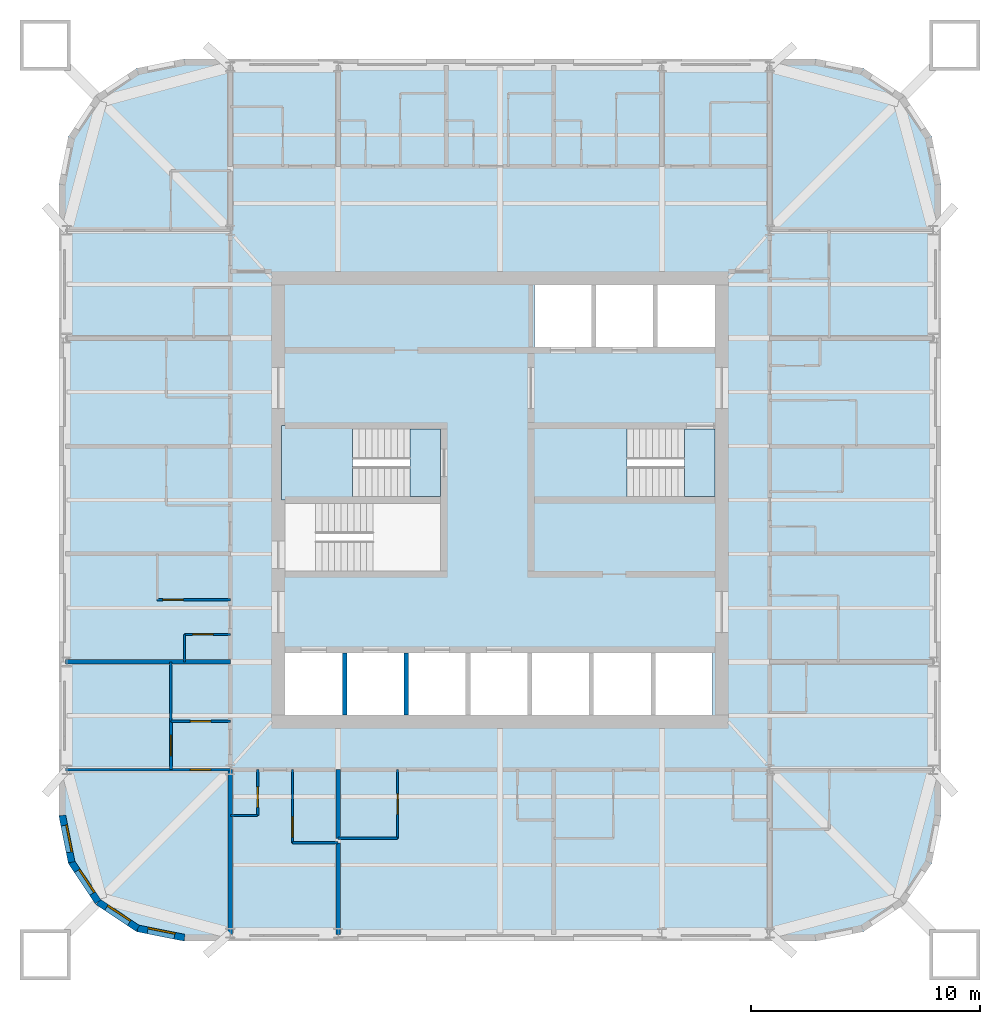
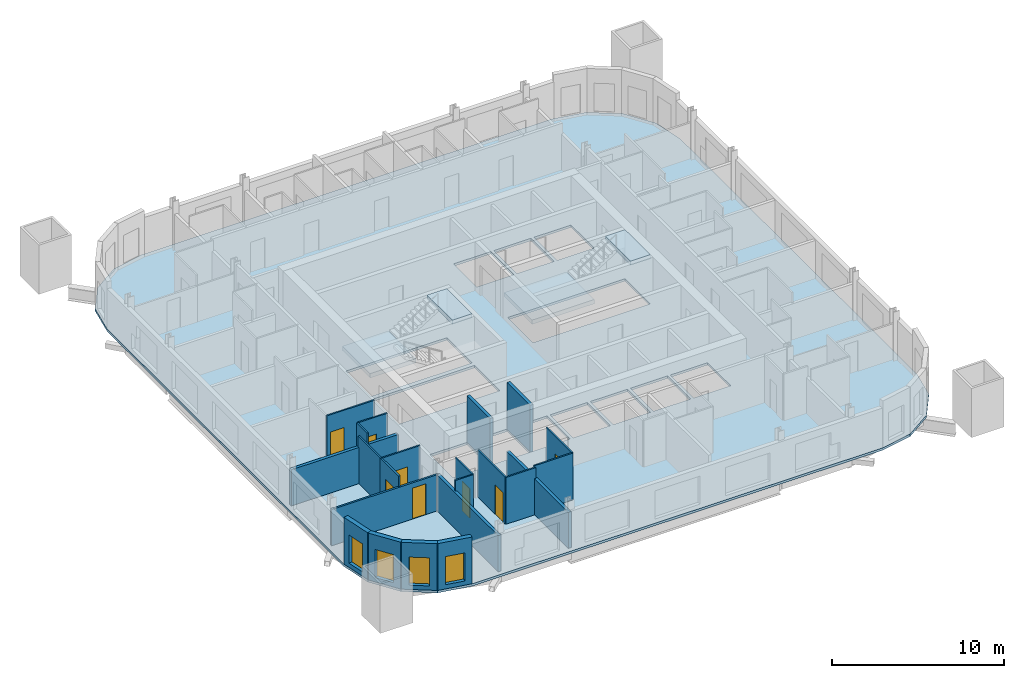
# One storey, part 2 of 9: 23 walls, 8 doors, 5 slabs, 4 windows, 12 openings, 2 elements without a shape of their own.
"""IFC4 building model written with IfcOpenShell, lengths in metres."""

from ifc_helpers import new_model, si_unit, direction, frame, frame_2d, origin, place, context, subcontext, project, spatial, polyline, rectangle, outline, extrude, material, layer, layer_set, type_object, element, fill, aggregate, save


model = new_model("IFC4")

# Units and contexts
model_context = context("Model", 3, precision=1e-05, world=origin(), true_north=direction((0.0, 1.0)))
body_context = subcontext(model_context, "Body", "Model", "MODEL_VIEW")
ifc_project = project(units=[si_unit("LENGTHUNIT", "METRE"), si_unit("AREAUNIT", "SQUARE_METRE"), si_unit("VOLUMEUNIT", "CUBIC_METRE"), si_unit("PLANEANGLEUNIT", "RADIAN"), si_unit("MASSUNIT", "GRAM", prefix="KILO")], contexts=[model_context])

# Site, building, storey
site_placement = place(None, origin())
site = spatial("IfcSite", under=ifc_project, at=site_placement, CompositionType="ELEMENT")
building_placement = place(site_placement, origin())
building = spatial("IfcBuilding", under=site, at=building_placement, Name="Turquesa Mirador Hotel Tower", CompositionType="ELEMENT")
storey_placement = place(building_placement, frame((0.0, 0.0, 172.300048828125)))
storey = spatial("IfcBuildingStorey", under=building, at=storey_placement, Name="L46", CompositionType="ELEMENT", Elevation=172.300048828125)

# Slab
ifc_material_1 = material(Name="Concrete C28/35", Category="concrete")
ifc_layer_1 = layer(ifc_material_1, 0.169921875)
ifc_layer_set_1 = layer_set([ifc_layer_1], Name="COMPOSITE FLOOR SLAB 170")
slab_type_1 = type_object("IfcSlabType", Name="COMPOSITE FLOOR SLAB 170", PredefinedType="FLOOR", material=ifc_layer_set_1)
slab_1_placement = place(storey_placement, frame((0.0, 0.0, -0.170166015625)))
element("IfcSlab", 1, at=slab_1_placement, inside=storey, type_object=slab_type_1, Name="Floor slab L46", PredefinedType="FLOOR", context=body_context, shape_type="SweptSolid", body=[
    extrude(outline(polyline([(68.800048828125, 25.699951171875), (70.90478515625, 26.11865234375), (72.689208984375, 27.310791015625), (73.88134765625, 29.09521484375), (74.300048828125, 31.199951171875), (74.300048828125, 58.800048828125), (73.88134765625, 60.90478515625), (72.689208984375, 62.689208984375), (70.90478515625, 63.88134765625), (68.800048828125, 64.300048828125), (41.199951171875, 64.300048828125), (39.09521484375, 63.88134765625), (37.310791015625, 62.689208984375), (36.11865234375, 60.90478515625), (35.699951171875, 58.800048828125), (35.699951171875, 31.199951171875), (36.11865234375, 29.09521484375), (37.310791015625, 27.310791015625), (39.09521484375, 26.11865234375), (41.199951171875, 25.699951171875), (68.800048828125, 25.699951171875)]), holes=[polyline([(56.5, 51.699951171875), (59.0, 51.699951171875), (59.0, 54.39990234375), (56.5, 54.39990234375), (56.5, 51.699951171875)]), polyline([(59.199951171875, 51.699951171875), (61.699951171875, 51.699951171875), (61.699951171875, 54.39990234375), (59.199951171875, 54.39990234375), (59.199951171875, 51.699951171875)]), polyline([(45.60009765625, 35.60009765625), (48.10009765625, 35.60009765625), (48.10009765625, 38.300048828125), (45.60009765625, 38.300048828125), (45.60009765625, 35.60009765625)]), polyline([(48.300048828125, 35.60009765625), (50.800048828125, 35.60009765625), (50.800048828125, 38.300048828125), (48.300048828125, 38.300048828125), (48.300048828125, 35.60009765625)]), polyline([(51.0, 35.60009765625), (53.5, 35.60009765625), (53.5, 38.300048828125), (51.0, 38.300048828125), (51.0, 35.60009765625)]), polyline([(53.699951171875, 35.60009765625), (56.199951171875, 35.60009765625), (56.199951171875, 38.300048828125), (53.699951171875, 38.300048828125), (53.699951171875, 35.60009765625)]), polyline([(56.39990234375, 35.60009765625), (58.89990234375, 35.60009765625), (58.89990234375, 38.300048828125), (56.39990234375, 38.300048828125), (56.39990234375, 35.60009765625)]), polyline([(59.10009765625, 35.60009765625), (61.60009765625, 35.60009765625), (61.60009765625, 38.300048828125), (59.10009765625, 38.300048828125), (59.10009765625, 35.60009765625)]), polyline([(61.800048828125, 35.60009765625), (64.300048828125, 35.60009765625), (64.300048828125, 38.300048828125), (61.800048828125, 38.300048828125), (61.800048828125, 35.60009765625)]), polyline([(45.60009765625, 45.14990234375), (52.39990234375, 45.14990234375), (52.39990234375, 48.10009765625), (45.60009765625, 48.10009765625), (45.60009765625, 45.14990234375)]), polyline([(45.60009765625, 41.89990234375), (52.39990234375, 41.89990234375), (52.39990234375, 44.85009765625), (45.60009765625, 44.85009765625), (45.60009765625, 41.89990234375)]), polyline([(56.5, 45.14990234375), (64.39990234375, 45.14990234375), (64.39990234375, 48.10009765625), (56.5, 48.10009765625), (56.5, 45.14990234375)]), polyline([(61.89990234375, 51.699951171875), (64.39990234375, 51.699951171875), (64.39990234375, 54.39990234375), (61.89990234375, 54.39990234375), (61.89990234375, 51.699951171875)])]), origin(), (0.0, 0.0, 1.0), 0.170166015625),
])

# Stair, slabs
ifc_material_2 = material(Name="Concrete C35/45", Category="concrete")
stair_type = type_object("IfcStairType", Name="ESCAPE STAIR CORE", PredefinedType="HALF_TURN_STAIR", material=ifc_material_2)
stair_1_placement = place(storey_placement, origin())
stair_1 = element("IfcStair", 2, at=stair_1_placement, inside=storey, type_object=stair_type, Name="Stair ST1 L46 to L47", PredefinedType="HALF_TURN_STAIR")
ifc_material_3 = material(Name="Concrete C35/45", Category="concrete")
ifc_layer_2 = layer(ifc_material_3, 0.300048828125)
ifc_layer_set_2 = layer_set([ifc_layer_2], Name="STAIR LANDING 300")
slab_type_2 = type_object("IfcSlabType", Name="STAIR LANDING 300", PredefinedType="LANDING", material=ifc_layer_set_2)
slab_2_placement = place(storey_placement, frame((0.0, 0.0, 1.449951171875)))
slab_2 = element("IfcSlab", 3, at=slab_2_placement, type_object=slab_type_2, Name="ST1 landing 1", PredefinedType="LANDING", context=body_context, shape_type="SweptSolid", body=[
    extrude(outline(polyline([(45.449951171875, 45.0), (48.550048828125, 45.0), (48.550048828125, 48.25), (45.449951171875, 48.25), (45.449951171875, 45.0)])), origin(), (0.0, 0.0, 1.0), 0.300048828125),
])
slab_3_placement = place(storey_placement, frame((0.0, 0.0, 3.199951171875)))
slab_3 = element("IfcSlab", 4, at=slab_3_placement, type_object=slab_type_2, Name="ST1 landing 2", PredefinedType="LANDING", context=body_context, shape_type="SweptSolid", body=[
    extrude(outline(polyline([(51.070068359375, 45.14990234375), (52.39990234375, 45.14990234375), (52.39990234375, 48.10009765625), (51.070068359375, 48.10009765625), (51.070068359375, 45.14990234375)])), origin(), (0.0, 0.0, 1.0), 0.300048828125),
])
aggregate(stair_1, [slab_2, slab_3])

stair_2_placement = place(storey_placement, origin())
stair_2 = element("IfcStair", 5, at=stair_2_placement, inside=storey, type_object=stair_type, Name="Stair ST3 L46 to L47", PredefinedType="HALF_TURN_STAIR")
slab_4_placement = place(storey_placement, frame((0.0, 0.0, 1.449951171875)))
slab_4 = element("IfcSlab", 6, at=slab_4_placement, type_object=slab_type_2, Name="ST3 landing 1", PredefinedType="LANDING", context=body_context, shape_type="SweptSolid", body=[
    extrude(outline(polyline([(56.35009765625, 45.0), (60.550048828125, 45.0), (60.550048828125, 48.25), (56.35009765625, 48.25), (56.35009765625, 45.0)])), origin(), (0.0, 0.0, 1.0), 0.300048828125),
])
slab_5_placement = place(storey_placement, frame((0.0, 0.0, 3.199951171875)))
slab_5 = element("IfcSlab", 7, at=slab_5_placement, type_object=slab_type_2, Name="ST3 landing 2", PredefinedType="LANDING", context=body_context, shape_type="SweptSolid", body=[
    extrude(outline(polyline([(63.070068359375, 45.14990234375), (64.39990234375, 45.14990234375), (64.39990234375, 48.10009765625), (63.070068359375, 48.10009765625), (63.070068359375, 45.14990234375)])), origin(), (0.0, 0.0, 1.0), 0.300048828125),
])
aggregate(stair_2, [slab_4, slab_5])

# Walls
ifc_material_4 = material(Name="Gypsum board on steel studs", Category="steel")
ifc_layer_3 = layer(ifc_material_4, 0.10009765625)
ifc_layer_set_3 = layer_set([ifc_layer_3], Name="BATHROOM WALL 100")
wall_type_1 = type_object("IfcWallType", Name="BATHROOM WALL 100", PredefinedType="PARTITIONING", material=ifc_layer_set_3)
wall_1_placement = place(storey_placement, frame((43.199951171875, 31.199951171875, 0.0), z_axis=(0.0, 0.0, 1.0), x_axis=(1.0, 0.0, 0.0)))
element("IfcWall", 8, at=wall_1_placement, inside=storey, type_object=wall_type_1, Name="Partition L46 007", PredefinedType="PARTITIONING", context=body_context, shape_type="SweptSolid", body=[
    extrude(rectangle(XDim=1.199951171875, YDim=0.10009765625, at=frame_2d((0.60009765625, 0.0))), origin(), (0.0, 0.0, 1.0), 3.329833984375),
])
wall_2_placement = place(storey_placement, frame((47.919921875, 30.199951171875, 0.0), z_axis=(0.0, 0.0, 1.0), x_axis=(1.0, 0.0, 0.0)))
element("IfcWall", 9, at=wall_2_placement, inside=storey, type_object=wall_type_1, Name="Partition L46 011", PredefinedType="PARTITIONING", context=body_context, shape_type="SweptSolid", body=[
    extrude(rectangle(XDim=2.60009765625, YDim=0.10009765625, at=frame_2d((1.300048828125, 0.0))), origin(), (0.0, 0.0, 1.0), 3.329833984375),
])
wall_3_placement = place(storey_placement, frame((45.919921875, 30.0, 0.0), z_axis=(0.0, 0.0, 1.0), x_axis=(1.0, 0.0, 0.0)))
element("IfcWall", 10, at=wall_3_placement, inside=storey, type_object=wall_type_1, Name="Partition L46 013", PredefinedType="PARTITIONING", context=body_context, shape_type="SweptSolid", body=[
    extrude(rectangle(XDim=2.0, YDim=0.10009765625, at=frame_2d((1.0, 0.0))), origin(), (0.0, 0.0, 1.0), 3.329833984375),
])

# Wall, opening, door
wall_4_placement = place(storey_placement, frame((40.0, 40.639892578125, 0.0), z_axis=(0.0, 0.0, 1.0), x_axis=(1.0, 0.0, 0.0)))
wall_4 = element("IfcWall", 11, at=wall_4_placement, inside=storey, type_object=wall_type_1, Name="Partition L46 017", PredefinedType="PARTITIONING", context=body_context, shape_type="SweptSolid", body=[
    extrude(rectangle(XDim=3.199951171875, YDim=0.10009765625, at=frame_2d((1.60009765625, 0.0))), origin(), (0.0, 0.0, 1.0), 3.329833984375),
])
opening_1_placement = place(wall_4_placement, frame((0.25, 0.0, 0.0)))
opening_1 = element("IfcOpeningElement", 12, at=opening_1_placement, cuts=wall_4, Name="Opening D02", PredefinedType="OPENING", context=body_context, shape_type="SweptSolid", body=[
    extrude(rectangle(XDim=0.89990234375, YDim=2.10009765625, at=frame_2d((0.449951171875, 1.050048828125))), frame((0.0, 0.06005859375, 0.0), z_axis=(0.0, -1.0, 0.0), x_axis=(1.0, 0.0, 0.0)), (0.0, 0.0, 1.0), 0.1201171875),
])
ifc_material_5 = material(Name="Timber veneered door", Category="wood")
door_type_1 = type_object("IfcDoorType", Name="DOOR 900X2100 EN-SUITE", OperationType="SINGLE_SWING_RIGHT", PredefinedType="DOOR", material=ifc_material_5)
door_1_placement = place(opening_1_placement, origin())
door_1 = element("IfcDoor", 13, at=door_1_placement, inside=storey, type_object=door_type_1, Name="Door 4612B", OperationType="SINGLE_SWING_RIGHT", OverallHeight=2.10009765625, OverallWidth=0.89990234375, PredefinedType="DOOR", context=body_context, shape_type="SweptSolid", body=[
    extrude(rectangle(XDim=0.89990234375, YDim=2.10009765625, at=frame_2d((0.449951171875, 1.050048828125))), frame((0.0, 0.02490234375, 0.0), z_axis=(0.0, -1.0, 0.0), x_axis=(1.0, 0.0, 0.0)), (0.0, 0.0, 1.0), 0.050048828125),
])
fill(opening_1, door_1)

wall_5_placement = place(storey_placement, frame((41.199951171875, 39.1201171875, 0.0), z_axis=(0.0, 0.0, 1.0), x_axis=(1.0, 0.0, 0.0)))
wall_5 = element("IfcWall", 14, at=wall_5_placement, inside=storey, type_object=wall_type_1, Name="Partition L46 018", PredefinedType="PARTITIONING", context=body_context, shape_type="SweptSolid", body=[
    extrude(rectangle(XDim=2.0, YDim=0.10009765625, at=frame_2d((1.0, 0.0))), origin(), (0.0, 0.0, 1.0), 3.329833984375),
])
opening_2_placement = place(wall_5_placement, frame((0.35009765625, 0.0, 0.0)))
opening_2 = element("IfcOpeningElement", 15, at=opening_2_placement, cuts=wall_5, Name="Opening D06", PredefinedType="OPENING", context=body_context, shape_type="SweptSolid", body=[
    extrude(rectangle(XDim=0.89990234375, YDim=2.10009765625, at=frame_2d((0.449951171875, 1.050048828125))), frame((0.0, 0.06005859375, 0.0), z_axis=(0.0, -1.0, 0.0), x_axis=(1.0, 0.0, 0.0)), (0.0, 0.0, 1.0), 0.1201171875),
])
ifc_material_6 = material(Name="Laminate door", Category="wood")
door_type_2 = type_object("IfcDoorType", Name="DOOR 900X2100 WC", OperationType="SINGLE_SWING_LEFT", PredefinedType="DOOR", material=ifc_material_6)
door_2_placement = place(opening_2_placement, origin())
door_2 = element("IfcDoor", 16, at=door_2_placement, inside=storey, type_object=door_type_2, Name="Door 4612W", OperationType="SINGLE_SWING_LEFT", OverallHeight=2.10009765625, OverallWidth=0.89990234375, PredefinedType="DOOR", context=body_context, shape_type="SweptSolid", body=[
    extrude(rectangle(XDim=0.89990234375, YDim=2.10009765625, at=frame_2d((0.449951171875, 1.050048828125))), frame((0.0, 0.02490234375, 0.0), z_axis=(0.0, -1.0, 0.0), x_axis=(1.0, 0.0, 0.0)), (0.0, 0.0, 1.0), 0.050048828125),
])
fill(opening_2, door_2)

wall_6_placement = place(storey_placement, frame((40.60009765625, 35.320068359375, 0.0), z_axis=(0.0, 0.0, 1.0), x_axis=(1.0, 0.0, 0.0)))
wall_6 = element("IfcWall", 17, at=wall_6_placement, inside=storey, type_object=wall_type_1, Name="Partition L46 022", PredefinedType="PARTITIONING", context=body_context, shape_type="SweptSolid", body=[
    extrude(rectangle(XDim=2.599853515625, YDim=0.10009765625, at=frame_2d((1.2998046875, 0.0))), origin(), (0.0, 0.0, 1.0), 3.329833984375),
])
opening_3_placement = place(wall_6_placement, frame((0.85009765625, 0.0, 0.0)))
opening_3 = element("IfcOpeningElement", 18, at=opening_3_placement, cuts=wall_6, Name="Opening D02", PredefinedType="OPENING", context=body_context, shape_type="SweptSolid", body=[
    extrude(rectangle(XDim=0.89990234375, YDim=2.10009765625, at=frame_2d((0.449951171875, 1.050048828125))), frame((0.0, 0.06005859375, 0.0), z_axis=(0.0, -1.0, 0.0), x_axis=(1.0, 0.0, 0.0)), (0.0, 0.0, 1.0), 0.1201171875),
])
door_3_placement = place(opening_3_placement, origin())
door_3 = element("IfcDoor", 19, at=door_3_placement, inside=storey, type_object=door_type_1, Name="Door 4617B", OperationType="SINGLE_SWING_RIGHT", OverallHeight=2.10009765625, OverallWidth=0.89990234375, PredefinedType="DOOR", context=body_context, shape_type="SweptSolid", body=[
    extrude(rectangle(XDim=0.89990234375, YDim=2.10009765625, at=frame_2d((0.449951171875, 1.050048828125))), frame((0.0, 0.02490234375, 0.0), z_axis=(0.0, -1.0, 0.0), x_axis=(1.0, 0.0, 0.0)), (0.0, 0.0, 1.0), 0.050048828125),
])
fill(opening_3, door_3)

wall_7_placement = place(storey_placement, frame((44.39990234375, 31.199951171875, 0.0), z_axis=(0.0, 0.0, 1.0), x_axis=(0.0, 1.0, 0.0)))
wall_7 = element("IfcWall", 20, at=wall_7_placement, inside=storey, type_object=wall_type_1, Name="Partition L46 049", PredefinedType="PARTITIONING", context=body_context, shape_type="SweptSolid", body=[
    extrude(rectangle(XDim=2.0, YDim=0.10009765625, at=frame_2d((1.0, 0.0))), origin(), (0.0, 0.0, 1.0), 3.329833984375),
])
opening_4_placement = place(wall_7_placement, frame((0.35009765625, 0.0, 0.0)))
opening_4 = element("IfcOpeningElement", 21, at=opening_4_placement, cuts=wall_7, Name="Opening D06", PredefinedType="OPENING", context=body_context, shape_type="SweptSolid", body=[
    extrude(rectangle(XDim=0.89990234375, YDim=2.10009765625, at=frame_2d((0.449951171875, 1.050048828125))), frame((0.0, 0.06005859375, 0.0), z_axis=(0.0, -1.0, 0.0), x_axis=(1.0, 0.0, 0.0)), (0.0, 0.0, 1.0), 0.1201171875),
])
door_4_placement = place(opening_4_placement, origin())
door_4 = element("IfcDoor", 22, at=door_4_placement, inside=storey, type_object=door_type_2, Name="Door 4606W", OperationType="SINGLE_SWING_LEFT", OverallHeight=2.10009765625, OverallWidth=0.89990234375, PredefinedType="DOOR", context=body_context, shape_type="SweptSolid", body=[
    extrude(rectangle(XDim=0.89990234375, YDim=2.10009765625, at=frame_2d((0.449951171875, 1.050048828125))), frame((0.0, 0.02490234375, 0.0), z_axis=(0.0, -1.0, 0.0), x_axis=(1.0, 0.0, 0.0)), (0.0, 0.0, 1.0), 0.050048828125),
])
fill(opening_4, door_4)

# Walls
wall_8_placement = place(storey_placement, frame((41.199951171875, 37.919921875, 0.0), z_axis=(0.0, 0.0, 1.0), x_axis=(0.0, 1.0, 0.0)))
element("IfcWall", 23, at=wall_8_placement, inside=storey, type_object=wall_type_1, Name="Partition L46 054", PredefinedType="PARTITIONING", context=body_context, shape_type="SweptSolid", body=[
    extrude(rectangle(XDim=1.2001953125, YDim=0.10009765625, at=frame_2d((0.60009765625, 0.0))), origin(), (0.0, 0.0, 1.0), 3.329833984375),
])
wall_9_placement = place(storey_placement, frame((40.60009765625, 35.320068359375, 0.0), z_axis=(0.0, 0.0, 1.0), x_axis=(0.0, 1.0, 0.0)))
element("IfcWall", 24, at=wall_9_placement, inside=storey, type_object=wall_type_1, Name="Partition L46 055", PredefinedType="PARTITIONING", context=body_context, shape_type="SweptSolid", body=[
    extrude(rectangle(XDim=2.599853515625, YDim=0.10009765625, at=frame_2d((1.2998046875, 0.0))), origin(), (0.0, 0.0, 1.0), 3.329833984375),
])

# Wall, opening, door
wall_10_placement = place(storey_placement, frame((50.52001953125, 30.199951171875, 0.0), z_axis=(0.0, 0.0, 1.0), x_axis=(0.0, 1.0, 0.0)))
wall_10 = element("IfcWall", 25, at=wall_10_placement, inside=storey, type_object=wall_type_1, Name="Partition L46 063", PredefinedType="PARTITIONING", context=body_context, shape_type="SweptSolid", body=[
    extrude(rectangle(XDim=3.0, YDim=0.10009765625, at=frame_2d((1.5, 0.0))), origin(), (0.0, 0.0, 1.0), 3.329833984375),
])
opening_5_placement = place(wall_10_placement, frame((1.050048828125, 0.0, 0.0)))
opening_5 = element("IfcOpeningElement", 26, at=opening_5_placement, cuts=wall_10, Name="Opening D02", PredefinedType="OPENING", context=body_context, shape_type="SweptSolid", body=[
    extrude(rectangle(XDim=0.89990234375, YDim=2.10009765625, at=frame_2d((0.449951171875, 1.050048828125))), frame((0.0, 0.06005859375, 0.0), z_axis=(0.0, -1.0, 0.0), x_axis=(1.0, 0.0, 0.0)), (0.0, 0.0, 1.0), 0.1201171875),
])
door_5_placement = place(opening_5_placement, origin())
door_5 = element("IfcDoor", 27, at=door_5_placement, inside=storey, type_object=door_type_1, Name="Door 4607B", OperationType="SINGLE_SWING_RIGHT", OverallHeight=2.10009765625, OverallWidth=0.89990234375, PredefinedType="DOOR", context=body_context, shape_type="SweptSolid", body=[
    extrude(rectangle(XDim=0.89990234375, YDim=2.10009765625, at=frame_2d((0.449951171875, 1.050048828125))), frame((0.0, 0.02490234375, 0.0), z_axis=(0.0, -1.0, 0.0), x_axis=(1.0, 0.0, 0.0)), (0.0, 0.0, 1.0), 0.050048828125),
])
fill(opening_5, door_5)

wall_11_placement = place(storey_placement, frame((45.919921875, 30.0, 0.0), z_axis=(0.0, 0.0, 1.0), x_axis=(0.0, 1.0, 0.0)))
wall_11 = element("IfcWall", 28, at=wall_11_placement, inside=storey, type_object=wall_type_1, Name="Partition L46 068", PredefinedType="PARTITIONING", context=body_context, shape_type="SweptSolid", body=[
    extrude(rectangle(XDim=3.199951171875, YDim=0.10009765625, at=frame_2d((1.60009765625, 0.0))), origin(), (0.0, 0.0, 1.0), 3.329833984375),
])
opening_6_placement = place(wall_11_placement, frame((0.25, 0.0, 0.0)))
opening_6 = element("IfcOpeningElement", 29, at=opening_6_placement, cuts=wall_11, Name="Opening D02", PredefinedType="OPENING", context=body_context, shape_type="SweptSolid", body=[
    extrude(rectangle(XDim=0.89990234375, YDim=2.10009765625, at=frame_2d((0.449951171875, 1.050048828125))), frame((0.0, 0.06005859375, 0.0), z_axis=(0.0, -1.0, 0.0), x_axis=(1.0, 0.0, 0.0)), (0.0, 0.0, 1.0), 0.1201171875),
])
door_6_placement = place(opening_6_placement, origin())
door_6 = element("IfcDoor", 30, at=door_6_placement, inside=storey, type_object=door_type_1, Name="Door 4606B", OperationType="SINGLE_SWING_RIGHT", OverallHeight=2.10009765625, OverallWidth=0.89990234375, PredefinedType="DOOR", context=body_context, shape_type="SweptSolid", body=[
    extrude(rectangle(XDim=0.89990234375, YDim=2.10009765625, at=frame_2d((0.449951171875, 1.050048828125))), frame((0.0, 0.02490234375, 0.0), z_axis=(0.0, -1.0, 0.0), x_axis=(1.0, 0.0, 0.0)), (0.0, 0.0, 1.0), 0.050048828125),
])
fill(opening_6, door_6)

# Wall, opening, window
ifc_material_7 = material(Name="Limestone cladding on concrete block", Category="masonry")
ifc_layer_4 = layer(ifc_material_7, 0.300048828125)
ifc_layer_set_4 = layer_set([ifc_layer_4], Name="FACADE WALL 300 STONE SCREEN")
wall_type_2 = type_object("IfcWallType", Name="FACADE WALL 300 STONE SCREEN", PredefinedType="SOLIDWALL", material=ifc_layer_set_4)
wall_12_placement = place(storey_placement, frame((35.85009765625, 31.199951171875, 0.0), z_axis=(0.0, 0.0, 1.0), x_axis=(0.195081421501, -0.980787050784, 0.0)))
wall_12 = element("IfcWall", 31, at=wall_12_placement, inside=storey, type_object=wall_type_2, Name="Facade wall L46 15", PredefinedType="SOLIDWALL", context=body_context, shape_type="SweptSolid", body=[
    extrude(rectangle(XDim=2.08740234375, YDim=0.300048828125, at=frame_2d((1.043701171875, 0.0))), origin(), (0.0, 0.0, 1.0), 3.329833984375),
])
opening_7_placement = place(wall_12_placement, frame((0.443603515625, 0.0, 0.300048828125)))
opening_7 = element("IfcOpeningElement", 32, at=opening_7_placement, cuts=wall_12, Name="Opening WN4", PredefinedType="OPENING", context=body_context, shape_type="SweptSolid", body=[
    extrude(rectangle(XDim=1.199951171875, YDim=2.0, at=frame_2d((0.60009765625, 1.0))), frame((0.0, 0.159912109375, 0.0), z_axis=(0.0, -1.0, 0.0), x_axis=(1.0, 0.0, 0.0)), (0.0, 0.0, 1.0), 0.320068359375),
])
ifc_material_8 = material(Name="Ceramic-fritted laminated glass", Category="glass")
window_type = type_object("IfcWindowType", Name="FRITTED CORNER WINDOW 1200X2000", PartitioningType="DOUBLE_PANEL_HORIZONTAL", PredefinedType="WINDOW", material=ifc_material_8)
window_1_placement = place(opening_7_placement, origin())
window_1 = element("IfcWindow", 33, at=window_1_placement, inside=storey, type_object=window_type, Name="Window L46", OverallHeight=2.0, OverallWidth=1.199951171875, PartitioningType="SINGLE_PANEL", PredefinedType="WINDOW", context=body_context, shape_type="SweptSolid", body=[
    extrude(rectangle(XDim=1.199951171875, YDim=2.0, at=frame_2d((0.60009765625, 1.0))), frame((0.0, 0.130126953125, 0.0), z_axis=(0.0, -1.0, 0.0), x_axis=(1.0, 0.0, 0.0)), (0.0, 0.0, 1.0), 0.06005859375),
])
fill(opening_7, window_1)

wall_13_placement = place(storey_placement, frame((36.25732421875, 29.152587890625, 0.0), z_axis=(0.0, 0.0, 1.0), x_axis=(0.555563607591, -0.831474039234, 0.0)))
wall_13 = element("IfcWall", 34, at=wall_13_placement, inside=storey, type_object=wall_type_2, Name="Facade wall L46 16", PredefinedType="SOLIDWALL", context=body_context, shape_type="SweptSolid", body=[
    extrude(rectangle(XDim=2.08740234375, YDim=0.300048828125, at=frame_2d((1.043701171875, 0.0))), origin(), (0.0, 0.0, 1.0), 3.329833984375),
])
opening_8_placement = place(wall_13_placement, frame((0.443603515625, 0.0, 0.300048828125)))
opening_8 = element("IfcOpeningElement", 35, at=opening_8_placement, cuts=wall_13, Name="Opening WN4", PredefinedType="OPENING", context=body_context, shape_type="SweptSolid", body=[
    extrude(rectangle(XDim=1.199951171875, YDim=2.0, at=frame_2d((0.60009765625, 1.0))), frame((0.0, 0.159912109375, 0.0), z_axis=(0.0, -1.0, 0.0), x_axis=(1.0, 0.0, 0.0)), (0.0, 0.0, 1.0), 0.320068359375),
])
window_2_placement = place(opening_8_placement, origin())
window_2 = element("IfcWindow", 36, at=window_2_placement, inside=storey, type_object=window_type, Name="Window L46", OverallHeight=2.0, OverallWidth=1.199951171875, PartitioningType="SINGLE_PANEL", PredefinedType="WINDOW", context=body_context, shape_type="SweptSolid", body=[
    extrude(rectangle(XDim=1.199951171875, YDim=2.0, at=frame_2d((0.60009765625, 1.0))), frame((0.0, 0.130126953125, 0.0), z_axis=(0.0, -1.0, 0.0), x_axis=(1.0, 0.0, 0.0)), (0.0, 0.0, 1.0), 0.06005859375),
])
fill(opening_8, window_2)

wall_14_placement = place(storey_placement, frame((37.4169921875, 27.4169921875, 0.0), z_axis=(0.0, 0.0, 1.0), x_axis=(0.831474039234, -0.555563607591, 0.0)))
wall_14 = element("IfcWall", 37, at=wall_14_placement, inside=storey, type_object=wall_type_2, Name="Facade wall L46 17", PredefinedType="SOLIDWALL", context=body_context, shape_type="SweptSolid", body=[
    extrude(rectangle(XDim=2.08740234375, YDim=0.300048828125, at=frame_2d((1.043701171875, 0.0))), origin(), (0.0, 0.0, 1.0), 3.329833984375),
])
opening_9_placement = place(wall_14_placement, frame((0.443603515625, 0.0, 0.300048828125)))
opening_9 = element("IfcOpeningElement", 38, at=opening_9_placement, cuts=wall_14, Name="Opening WN4", PredefinedType="OPENING", context=body_context, shape_type="SweptSolid", body=[
    extrude(rectangle(XDim=1.199951171875, YDim=2.0, at=frame_2d((0.60009765625, 1.0))), frame((0.0, 0.159912109375, 0.0), z_axis=(0.0, -1.0, 0.0), x_axis=(1.0, 0.0, 0.0)), (0.0, 0.0, 1.0), 0.320068359375),
])
window_3_placement = place(opening_9_placement, origin())
window_3 = element("IfcWindow", 39, at=window_3_placement, inside=storey, type_object=window_type, Name="Window L46", OverallHeight=2.0, OverallWidth=1.199951171875, PartitioningType="SINGLE_PANEL", PredefinedType="WINDOW", context=body_context, shape_type="SweptSolid", body=[
    extrude(rectangle(XDim=1.199951171875, YDim=2.0, at=frame_2d((0.60009765625, 1.0))), frame((0.0, 0.130126953125, 0.0), z_axis=(0.0, -1.0, 0.0), x_axis=(1.0, 0.0, 0.0)), (0.0, 0.0, 1.0), 0.06005859375),
])
fill(opening_9, window_3)

wall_15_placement = place(storey_placement, frame((39.152587890625, 26.25732421875, 0.0), z_axis=(0.0, 0.0, 1.0), x_axis=(0.980787050784, -0.195081421501, 0.0)))
wall_15 = element("IfcWall", 40, at=wall_15_placement, inside=storey, type_object=wall_type_2, Name="Facade wall L46 18", PredefinedType="SOLIDWALL", context=body_context, shape_type="SweptSolid", body=[
    extrude(rectangle(XDim=2.08740234375, YDim=0.300048828125, at=frame_2d((1.043701171875, 0.0))), origin(), (0.0, 0.0, 1.0), 3.329833984375),
])
opening_10_placement = place(wall_15_placement, frame((0.443603515625, 0.0, 0.300048828125)))
opening_10 = element("IfcOpeningElement", 41, at=opening_10_placement, cuts=wall_15, Name="Opening WN4", PredefinedType="OPENING", context=body_context, shape_type="SweptSolid", body=[
    extrude(rectangle(XDim=1.199951171875, YDim=2.0, at=frame_2d((0.60009765625, 1.0))), frame((0.0, 0.159912109375, 0.0), z_axis=(0.0, -1.0, 0.0), x_axis=(1.0, 0.0, 0.0)), (0.0, 0.0, 1.0), 0.320068359375),
])
window_4_placement = place(opening_10_placement, origin())
window_4 = element("IfcWindow", 42, at=window_4_placement, inside=storey, type_object=window_type, Name="Window L46", OverallHeight=2.0, OverallWidth=1.199951171875, PartitioningType="SINGLE_PANEL", PredefinedType="WINDOW", context=body_context, shape_type="SweptSolid", body=[
    extrude(rectangle(XDim=1.199951171875, YDim=2.0, at=frame_2d((0.60009765625, 1.0))), frame((0.0, 0.130126953125, 0.0), z_axis=(0.0, -1.0, 0.0), x_axis=(1.0, 0.0, 0.0)), (0.0, 0.0, 1.0), 0.06005859375),
])
fill(opening_10, window_4)

# Walls
ifc_material_9 = material(Name="Fire-rated gypsum shaft wall on steel studs", Category="steel")
ifc_layer_5 = layer(ifc_material_9, 0.199951171875)
ifc_layer_set_5 = layer_set([ifc_layer_5], Name="LIFT SHAFT DIVIDER 200")
wall_type_3 = type_object("IfcWallType", Name="LIFT SHAFT DIVIDER 200", PredefinedType="PARTITIONING", material=ifc_layer_set_5)
for number, where, z_axis, x_axis, name in (
    (43, (48.199951171875, 35.60009765625, 0.0), (0.0, 0.0, 1.0), (0.0, 1.0, 0.0), "Lift shaft divider"),
    (44, (50.89990234375, 35.60009765625, 0.0), (0.0, 0.0, 1.0), (0.0, 1.0, 0.0), "Lift shaft divider"),
):
    element("IfcWall", number, at=place(storey_placement, frame(where, z_axis=z_axis, x_axis=x_axis)), inside=storey, type_object=wall_type_3, Name=name, PredefinedType="PARTITIONING", context=body_context, shape_type="SweptSolid", body=[
        extrude(rectangle(XDim=2.699951171875, YDim=0.199951171875, at=frame_2d((1.35009765625, 0.0))), origin(), (0.0, 0.0, 1.0), 3.329833984375),
    ])
ifc_material_10 = material(Name="Fire-rated gypsum board on steel studs", Category="steel")
ifc_layer_6 = layer(ifc_material_10, 0.199951171875)
ifc_layer_set_6 = layer_set([ifc_layer_6], Name="PARTY WALL 200")
wall_type_4 = type_object("IfcWallType", Name="PARTY WALL 200", PredefinedType="PARTITIONING", material=ifc_layer_set_6)
for number, where, z_axis, x_axis, name in (
    (45, (36.0, 37.919921875, 0.0), (0.0, 0.0, 1.0), (1.0, 0.0, 0.0), "Partition L46 019"),
    (46, (43.199951171875, 26.0, 0.0), (0.0, 0.0, 1.0), (0.0, 1.0, 0.0), "Partition L46 051"),
):
    element("IfcWall", number, at=place(storey_placement, frame(where, z_axis=z_axis, x_axis=x_axis)), inside=storey, type_object=wall_type_4, Name=name, PredefinedType="PARTITIONING", context=body_context, shape_type="SweptSolid", body=[
        extrude(rectangle(XDim=7.199951171875, YDim=0.199951171875, at=frame_2d((3.60009765625, 0.0))), origin(), (0.0, 0.0, 1.0), 2.572998046875),
    ])
wall_16_placement = place(storey_placement, frame((47.919921875, 26.0, 0.0), z_axis=(0.0, 0.0, 1.0), x_axis=(0.0, 1.0, 0.0)))
element("IfcWall", 47, at=wall_16_placement, inside=storey, type_object=wall_type_4, Name="Partition L46 065", PredefinedType="PARTITIONING", context=body_context, shape_type="SweptSolid", body=[
    extrude(rectangle(XDim=4.0, YDim=0.199951171875, at=frame_2d((2.0, 0.0))), origin(), (0.0, 0.0, 1.0), 2.572998046875),
])
wall_17_placement = place(storey_placement, frame((47.919921875, 30.199951171875, 0.0), z_axis=(0.0, 0.0, 1.0), x_axis=(0.0, 1.0, 0.0)))
element("IfcWall", 48, at=wall_17_placement, inside=storey, type_object=wall_type_4, Name="Partition L46 066", PredefinedType="PARTITIONING", context=body_context, shape_type="SweptSolid", body=[
    extrude(rectangle(XDim=3.0, YDim=0.199951171875, at=frame_2d((1.5, 0.0))), origin(), (0.0, 0.0, 1.0), 2.572998046875),
])

# Wall, opening, door
ifc_material_11 = material(Name="Acoustic gypsum board on steel studs", Category="steel")
ifc_layer_7 = layer(ifc_material_11, 0.125)
ifc_layer_set_7 = layer_set([ifc_layer_7], Name="SUITE PARTITION 125")
wall_type_5 = type_object("IfcWallType", Name="SUITE PARTITION 125", PredefinedType="PARTITIONING", material=ifc_layer_set_7)
wall_18_placement = place(storey_placement, frame((36.0, 33.199951171875, 0.0), z_axis=(0.0, 0.0, 1.0), x_axis=(1.0, 0.0, 0.0)))
wall_18 = element("IfcWall", 49, at=wall_18_placement, inside=storey, type_object=wall_type_5, Name="Partition L46 005", PredefinedType="PARTITIONING", context=body_context, shape_type="SweptSolid", body=[
    extrude(rectangle(XDim=7.199951171875, YDim=0.125, at=frame_2d((3.60009765625, 0.0))), origin(), (0.0, 0.0, 1.0), 2.572998046875),
])
opening_11_placement = place(wall_18_placement, frame((5.449951171875, 0.0, 0.0)))
opening_11 = element("IfcOpeningElement", 50, at=opening_11_placement, cuts=wall_18, Name="Opening D17", PredefinedType="OPENING", context=body_context, shape_type="SweptSolid", body=[
    extrude(rectangle(XDim=0.89990234375, YDim=2.199951171875, at=frame_2d((0.449951171875, 1.10009765625))), frame((0.0, 0.072509765625, 0.0), z_axis=(0.0, -1.0, 0.0), x_axis=(1.0, 0.0, 0.0)), (0.0, 0.0, 1.0), 0.14501953125),
])
ifc_material_12 = material(Name="Timber veneered door", Category="wood")
door_type_3 = type_object("IfcDoorType", Name="DOOR 900X2200 SUITE INTERNAL", OperationType="SINGLE_SWING_LEFT", PredefinedType="DOOR", material=ifc_material_12)
door_7_placement = place(opening_11_placement, origin())
door_7 = element("IfcDoor", 51, at=door_7_placement, inside=storey, type_object=door_type_3, Name="Door 4617", OperationType="SINGLE_SWING_LEFT", OverallHeight=2.199951171875, OverallWidth=0.89990234375, PredefinedType="DOOR", context=body_context, shape_type="SweptSolid", body=[
    extrude(rectangle(XDim=0.89990234375, YDim=2.199951171875, at=frame_2d((0.449951171875, 1.10009765625))), frame((0.0, 0.02490234375, 0.0), z_axis=(0.0, -1.0, 0.0), x_axis=(1.0, 0.0, 0.0)), (0.0, 0.0, 1.0), 0.050048828125),
])
fill(opening_11, door_7)

wall_19_placement = place(storey_placement, frame((40.60009765625, 33.199951171875, 0.0), z_axis=(0.0, 0.0, 1.0), x_axis=(0.0, 1.0, 0.0)))
wall_19 = element("IfcWall", 52, at=wall_19_placement, inside=storey, type_object=wall_type_5, Name="Partition L46 057", PredefinedType="PARTITIONING", context=body_context, shape_type="SweptSolid", body=[
    extrude(rectangle(XDim=2.1201171875, YDim=0.125, at=frame_2d((1.06005859375, 0.0))), origin(), (0.0, 0.0, 1.0), 3.329833984375),
])
opening_12_placement = place(wall_19_placement, frame((0.610107421875, 0.0, 0.0)))
opening_12 = element("IfcOpeningElement", 53, at=opening_12_placement, cuts=wall_19, Name="Opening D17", PredefinedType="OPENING", context=body_context, shape_type="SweptSolid", body=[
    extrude(rectangle(XDim=0.89990234375, YDim=2.199951171875, at=frame_2d((0.449951171875, 1.10009765625))), frame((0.0, 0.072509765625, 0.0), z_axis=(0.0, -1.0, 0.0), x_axis=(1.0, 0.0, 0.0)), (0.0, 0.0, 1.0), 0.14501953125),
])
door_8_placement = place(opening_12_placement, origin())
door_8 = element("IfcDoor", 54, at=door_8_placement, inside=storey, type_object=door_type_3, Name="Door 4617R", OperationType="SINGLE_SWING_LEFT", OverallHeight=2.199951171875, OverallWidth=0.89990234375, PredefinedType="DOOR", context=body_context, shape_type="SweptSolid", body=[
    extrude(rectangle(XDim=0.89990234375, YDim=2.199951171875, at=frame_2d((0.449951171875, 1.10009765625))), frame((0.0, 0.02490234375, 0.0), z_axis=(0.0, -1.0, 0.0), x_axis=(1.0, 0.0, 0.0)), (0.0, 0.0, 1.0), 0.050048828125),
])
fill(opening_12, door_8)

save(model, "model.ifc")
